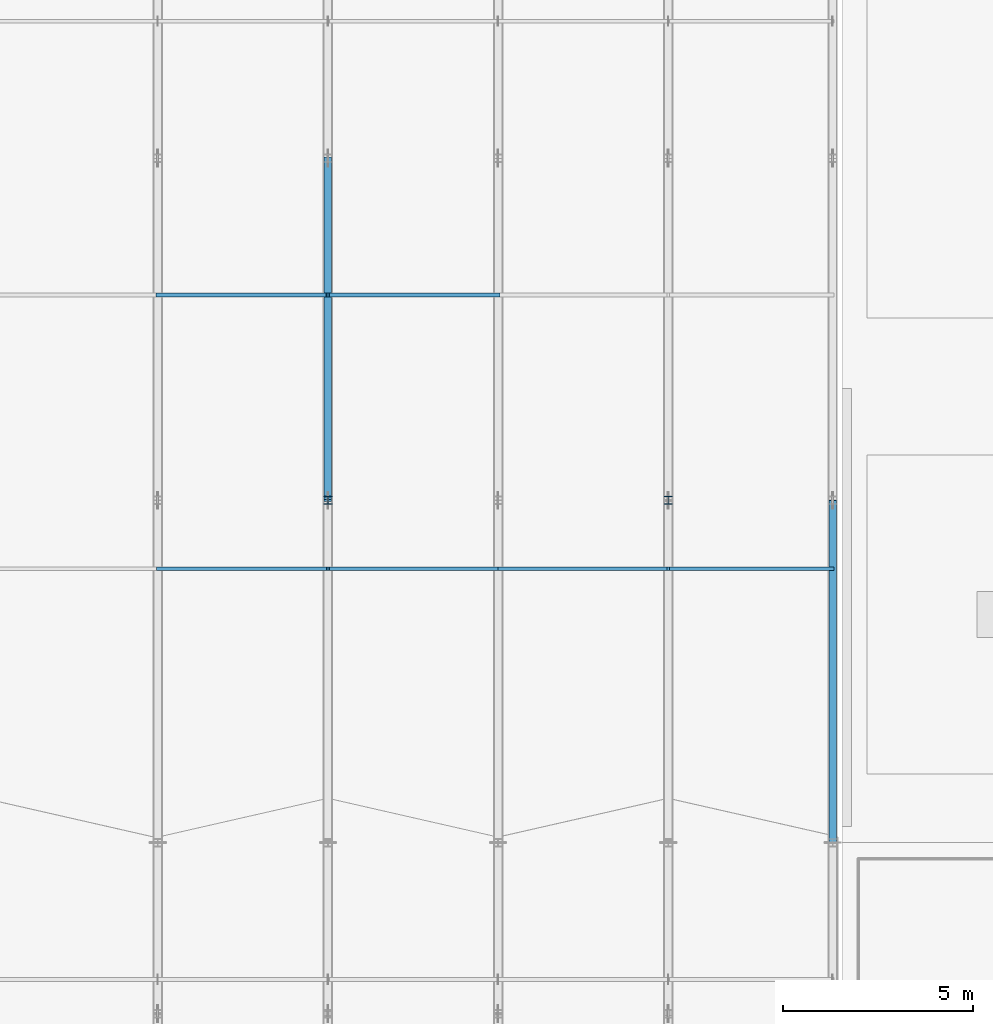
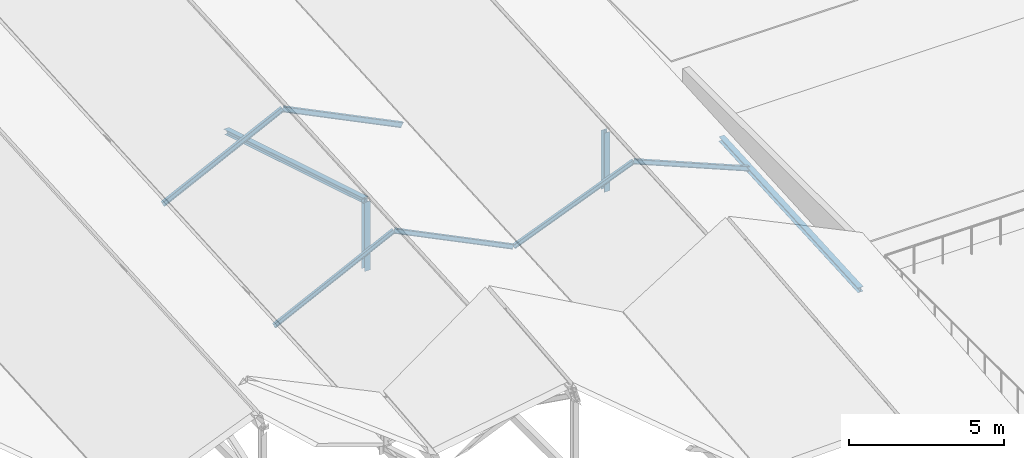
# One storey, part 51 of 142: 10 members.
"""IFC4 building model written with IfcOpenShell, lengths in metres."""

from ifc_helpers import new_model, si_unit, direction, frame, origin, origin_2d, place, context, subcontext, project, spatial, i_section, extrude, material, material_profile, profile_set, type_object, element, save


model = new_model("IFC4")

# Units and contexts
model_context = context("Model", 3, precision=1e-05, world=origin(), true_north=direction((0.0, 1.0)))
body_context = subcontext(model_context, "Body", "Model", "MODEL_VIEW")
ifc_project = project(units=[si_unit("LENGTHUNIT", "METRE"), si_unit("AREAUNIT", "SQUARE_METRE"), si_unit("VOLUMEUNIT", "CUBIC_METRE"), si_unit("PLANEANGLEUNIT", "RADIAN"), si_unit("MASSUNIT", "GRAM", prefix="KILO")], contexts=[model_context])

# Site, building, storey
site_placement = place(None, origin())
site = spatial("IfcSite", under=ifc_project, at=site_placement, CompositionType="ELEMENT")
building_placement = place(site_placement, origin())
building = spatial("IfcBuilding", under=site, at=building_placement, Name="Montelvaro Courts of Justice", CompositionType="ELEMENT")
storey_placement = place(building_placement, frame((0.0, 0.0, 14.39990234375)))
storey = spatial("IfcBuildingStorey", under=building, at=storey_placement, Name="L03", CompositionType="ELEMENT", Elevation=14.39990234375)

# Members
ifc_material = material(Name="Steel S355", Category="steel")
ifc_material_profile_1 = material_profile(ifc_material, i_section(OverallWidth=0.199951171875, OverallDepth=0.18994140625, WebThickness=0.006591796875, FlangeThickness=0.010009765625, at=origin_2d()), Name="HEA 200")
ifc_profile_set_1 = profile_set([ifc_material_profile_1], Name="Steel S355")
member_type_1 = type_object("IfcMemberType", Name="Mem_HEA200_Brace", PredefinedType="BRACE", material=ifc_profile_set_1)
member_1_placement = place(storey_placement, frame((98.800048828125, 42.0, -0.2998046875), z_axis=(0.0, 0.998271944472, 0.058763295342), x_axis=(-1.0, 0.0, 0.0)))
element("IfcMember", 1, at=member_1_placement, inside=storey, type_object=member_type_1, Name="Roof Truss Web MB-02 ROOF-PASSAGE-VTR06-W1", PredefinedType="BRACE", context=body_context, shape_type="SweptSolid", body=[
    extrude(i_section(OverallWidth=0.199951171875, OverallDepth=0.18994140625, WebThickness=0.006591796875, FlangeThickness=0.010009765625, at=origin_2d()), origin(), (0.0, 0.0, 1.0), 9.015625),
])
member_2_placement = place(storey_placement, frame((85.52490234375, 51.0, 2.43017578125), z_axis=(0.0, 0.956944461348, -0.290271076573), x_axis=(-1.0, 0.0, 0.0)))
element("IfcMember", 2, at=member_2_placement, inside=storey, type_object=member_type_1, Name="Roof Truss Web MB-02 ROOF-PASSAGE-RTR04-W2", PredefinedType="BRACE", context=body_context, shape_type="SweptSolid", body=[
    extrude(i_section(OverallWidth=0.199951171875, OverallDepth=0.18994140625, WebThickness=0.006591796875, FlangeThickness=0.010009765625, at=origin_2d()), origin(), (0.0, 0.0, 1.0), 9.405029296875),
])
ifc_material_profile_2 = material_profile(ifc_material, i_section(OverallWidth=0.219970703125, OverallDepth=0.2099609375, WebThickness=0.007080078125, FlangeThickness=0.010986328125, at=origin_2d()), Name="HEA 220")
ifc_profile_set_2 = profile_set([ifc_material_profile_2], Name="Steel S355")
member_type_2 = type_object("IfcMemberType", Name="Mem_HEA220_Post", PredefinedType="POST", material=ifc_profile_set_2)
member_3_placement = place(storey_placement, frame((85.52490234375, 51.0, -0.2998046875), z_axis=(0.0, 0.0, 1.0), x_axis=(1.0, 0.0, 0.0)))
element("IfcMember", 3, at=member_3_placement, inside=storey, type_object=member_type_2, Name="Roof Truss Post MP-03 ROOF-PASSAGE-RTR04-V1", PredefinedType="POST", context=body_context, shape_type="SweptSolid", body=[
    extrude(i_section(OverallWidth=0.219970703125, OverallDepth=0.2099609375, WebThickness=0.007080078125, FlangeThickness=0.010986328125, at=origin_2d()), origin(), (0.0, 0.0, 1.0), 2.72998046875),
])
member_4_placement = place(storey_placement, frame((94.47509765625, 51.0, -0.2998046875), z_axis=(0.0, 0.0, 1.0), x_axis=(1.0, 0.0, 0.0)))
element("IfcMember", 4, at=member_4_placement, inside=storey, type_object=member_type_2, Name="Roof Truss Post MP-03 ROOF-PASSAGE-RTR05-V1", PredefinedType="POST", context=body_context, shape_type="SweptSolid", body=[
    extrude(i_section(OverallWidth=0.219970703125, OverallDepth=0.2099609375, WebThickness=0.007080078125, FlangeThickness=0.010986328125, at=origin_2d()), origin(), (0.0, 0.0, 1.0), 2.329833984375),
])
ifc_material_profile_3 = material_profile(ifc_material, i_section(OverallWidth=0.091064453125, OverallDepth=0.179931640625, WebThickness=0.00537109375, FlangeThickness=0.008056640625, at=origin_2d()), Name="IPE 180")
ifc_profile_set_3 = profile_set([ifc_material_profile_3], Name="Steel S355")
member_type_3 = type_object("IfcMemberType", Name="Mem_IPE180_Purlin", PredefinedType="PURLIN", material=ifc_profile_set_3)
member_5_placement = place(storey_placement, frame((81.050048828125, 49.199951171875, 0.1201171875), z_axis=(0.897413211494, 0.0, 0.441191033268), x_axis=(0.0, 1.0, 0.0)))
element("IfcMember", 5, at=member_5_placement, inside=storey, type_object=member_type_3, Name="Roof Purlin MR-01 ROOF-PASSAGE-PRL-04-1L", PredefinedType="PURLIN", context=body_context, shape_type="SweptSolid", body=[
    extrude(i_section(OverallWidth=0.091064453125, OverallDepth=0.179931640625, WebThickness=0.00537109375, FlangeThickness=0.008056640625, at=origin_2d()), origin(), (0.0, 0.0, 1.0), 4.986328125),
])
member_6_placement = place(storey_placement, frame((85.52490234375, 49.199951171875, 2.320068359375), z_axis=(0.897422741176, 0.0, -0.441171648704), x_axis=(0.0, 1.0, 0.0)))
element("IfcMember", 6, at=member_6_placement, inside=storey, type_object=member_type_3, Name="Roof Purlin MR-01 ROOF-PASSAGE-PRL-04-1R", PredefinedType="PURLIN", context=body_context, shape_type="SweptSolid", body=[
    extrude(i_section(OverallWidth=0.091064453125, OverallDepth=0.179931640625, WebThickness=0.00537109375, FlangeThickness=0.008056640625, at=origin_2d()), origin(), (0.0, 0.0, 1.0), 4.986572265625),
])
member_7_placement = place(storey_placement, frame((90.0, 49.199951171875, 0.1201171875), z_axis=(0.927759386524, 0.0, 0.373178939271), x_axis=(0.0, 1.0, 0.0)))
element("IfcMember", 7, at=member_7_placement, inside=storey, type_object=member_type_3, Name="Roof Purlin MR-01 ROOF-PASSAGE-PRL-05-1L", PredefinedType="PURLIN", context=body_context, shape_type="SweptSolid", body=[
    extrude(i_section(OverallWidth=0.091064453125, OverallDepth=0.179931640625, WebThickness=0.00537109375, FlangeThickness=0.008056640625, at=origin_2d()), origin(), (0.0, 0.0, 1.0), 4.823486328125),
])
member_8_placement = place(storey_placement, frame((94.47509765625, 49.199951171875, 1.920166015625), z_axis=(0.923229496934, 0.0, -0.384249002591), x_axis=(0.0, 1.0, 0.0)))
element("IfcMember", 8, at=member_8_placement, inside=storey, type_object=member_type_3, Name="Roof Purlin MR-01 ROOF-PASSAGE-PRL-05-1R", PredefinedType="PURLIN", context=body_context, shape_type="SweptSolid", body=[
    extrude(i_section(OverallWidth=0.091064453125, OverallDepth=0.179931640625, WebThickness=0.00537109375, FlangeThickness=0.008056640625, at=origin_2d()), origin(), (0.0, 0.0, 1.0), 4.6845703125),
])
ifc_material_profile_4 = material_profile(ifc_material, i_section(OverallWidth=0.10009765625, OverallDepth=0.199951171875, WebThickness=0.005615234375, FlangeThickness=0.008544921875, at=origin_2d()), Name="IPE 200")
ifc_profile_set_4 = profile_set([ifc_material_profile_4], Name="Steel S355")
member_type_4 = type_object("IfcMemberType", Name="Mem_IPE200_Purlin", PredefinedType="PURLIN", material=ifc_profile_set_4)
member_9_placement = place(storey_placement, frame((81.050048828125, 56.39990234375, 0.56005859375), z_axis=(0.897413211494, 0.0, 0.441191033268), x_axis=(0.0, 1.0, 0.0)))
element("IfcMember", 9, at=member_9_placement, inside=storey, type_object=member_type_4, Name="Roof Purlin MR-02 ROOF-PASSAGE-PRL-04-2L", PredefinedType="PURLIN", context=body_context, shape_type="SweptSolid", body=[
    extrude(i_section(OverallWidth=0.10009765625, OverallDepth=0.199951171875, WebThickness=0.005615234375, FlangeThickness=0.008544921875, at=origin_2d()), origin(), (0.0, 0.0, 1.0), 4.986328125),
])
member_10_placement = place(storey_placement, frame((85.52490234375, 56.39990234375, 2.760009765625), z_axis=(0.897422741176, 0.0, -0.441171648704), x_axis=(0.0, 1.0, 0.0)))
element("IfcMember", 10, at=member_10_placement, inside=storey, type_object=member_type_4, Name="Roof Purlin MR-02 ROOF-PASSAGE-PRL-04-2R", PredefinedType="PURLIN", context=body_context, shape_type="SweptSolid", body=[
    extrude(i_section(OverallWidth=0.10009765625, OverallDepth=0.199951171875, WebThickness=0.005615234375, FlangeThickness=0.008544921875, at=origin_2d()), origin(), (0.0, 0.0, 1.0), 4.986572265625),
])

save(model, "model.ifc")
